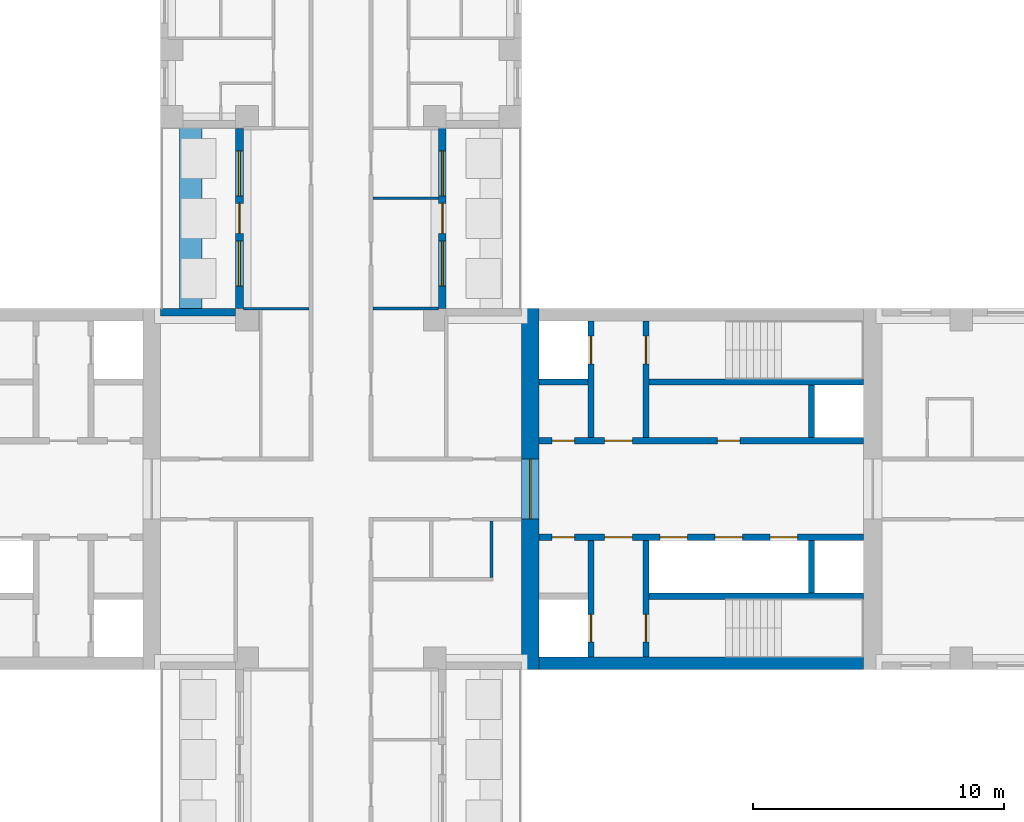
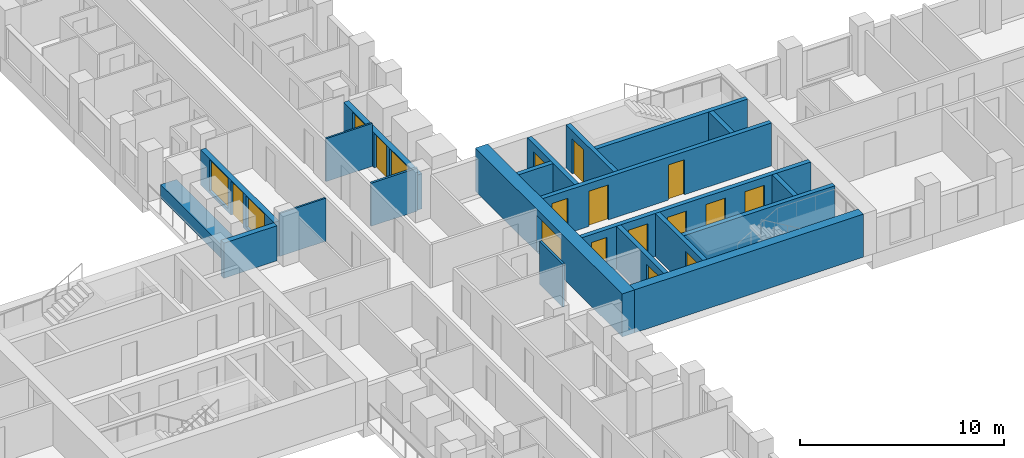
# One storey, part 8 of 15: 21 walls, 15 doors, 4 windows, 19 openings.
"""IFC4 building model written with IfcOpenShell, lengths in metres."""

from ifc_helpers import new_model, si_unit, direction, frame, frame_2d, origin, place, context, subcontext, project, spatial, rectangle, extrude, material, layer, layer_set, type_object, element, fill, save


model = new_model("IFC4")

# Units and contexts
model_context = context("Model", 3, precision=1e-05, world=origin(), true_north=direction((0.0, 1.0)))
body_context = subcontext(model_context, "Body", "Model", "MODEL_VIEW")
ifc_project = project(units=[si_unit("LENGTHUNIT", "METRE"), si_unit("AREAUNIT", "SQUARE_METRE"), si_unit("VOLUMEUNIT", "CUBIC_METRE"), si_unit("PLANEANGLEUNIT", "RADIAN"), si_unit("MASSUNIT", "GRAM", prefix="KILO")], contexts=[model_context])

# Site, building, storey
site_placement = place(None, origin())
site = spatial("IfcSite", under=ifc_project, at=site_placement, CompositionType="ELEMENT")
building_placement = place(site_placement, origin())
building = spatial("IfcBuilding", under=site, at=building_placement, Name="Fustian Cross Tower", CompositionType="ELEMENT")
storey_placement = place(building_placement, frame((0.0, 0.0, 14.699951171875)))
storey = spatial("IfcBuildingStorey", under=building, at=storey_placement, Name="L03", CompositionType="ELEMENT", Elevation=14.699951171875)

# Wall, opening, door
ifc_material_1 = material(Name="Concrete C80/95", Category="concrete")
ifc_layer_1 = layer(ifc_material_1, 0.699951171875)
ifc_layer_set_1 = layer_set([ifc_layer_1], Name="Concrete C80/95")
wall_type_1 = type_object("IfcWallType", Name="CORE END WALL 700 C80/95", PredefinedType="SHEAR", material=ifc_layer_set_1)
wall_1_placement = place(storey_placement, frame((7.550048828125, -7.199951171875, 0.0), z_axis=(0.0, 0.0, 1.0), x_axis=(0.0, 1.0, 0.0)))
wall_1 = element("IfcWall", 1, at=wall_1_placement, inside=storey, type_object=wall_type_1, Name="Core end wall", PredefinedType="SHEAR", context=body_context, shape_type="SweptSolid", body=[
    extrude(rectangle(XDim=14.39990234375, YDim=0.699951171875, at=frame_2d((7.199951171875, 0.0))), origin(), (0.0, 0.0, 1.0), 2.574951171875),
])
opening_1_placement = place(wall_1_placement, frame((6.0, 0.0, 0.0)))
opening_1 = element("IfcOpeningElement", 2, at=opening_1_placement, cuts=wall_1, Name="Opening CD-04-12", PredefinedType="OPENING", context=body_context, shape_type="SweptSolid", body=[
    extrude(rectangle(XDim=2.39990234375, YDim=2.199951171875, at=frame_2d((1.199951171875, 1.10009765625))), frame((0.0, 0.35986328125, 0.0), z_axis=(0.0, -1.0, 0.0), x_axis=(1.0, 0.0, 0.0)), (0.0, 0.0, 1.0), 0.719970703125),
])
ifc_material_2 = material(Name="Steel", Category="steel")
door_type_1 = type_object("IfcDoorType", Name="FIRE DOOR FD30S DOUBLE 2400X2200", OperationType="DOUBLE_DOOR_DOUBLE_SWING", PredefinedType="DOOR", material=ifc_material_2)
door_1_placement = place(opening_1_placement, frame((2.39990234375, 0.0, 0.0), z_axis=(0.0, 0.0, 1.0), x_axis=(-1.0, 0.0, 0.0)))
door_1 = element("IfcDoor", 3, at=door_1_placement, inside=storey, type_object=door_type_1, Name="Core door CD-04-12", OperationType="DOUBLE_DOOR_DOUBLE_SWING", OverallHeight=2.199951171875, OverallWidth=2.39990234375, PredefinedType="DOOR", context=body_context, shape_type="SweptSolid", body=[
    extrude(rectangle(XDim=2.39990234375, YDim=2.199951171875, at=frame_2d((1.199951171875, 1.10009765625))), frame((0.0, 0.02490234375, 0.0), z_axis=(0.0, -1.0, 0.0), x_axis=(1.0, 0.0, 0.0)), (0.0, 0.0, 1.0), 0.050048828125),
])
fill(opening_1, door_1)

# Wall
ifc_material_3 = material(Name="Concrete C80/95", Category="concrete")
ifc_layer_2 = layer(ifc_material_3, 0.5)
ifc_layer_set_2 = layer_set([ifc_layer_2], Name="Concrete C80/95")
wall_type_2 = type_object("IfcWallType", Name="CORE FACADE WALL 500 C80/95", PredefinedType="SHEAR", material=ifc_layer_set_2)
wall_2_placement = place(storey_placement, frame((7.89990234375, -6.949951171875, 0.0), z_axis=(0.0, 0.0, 1.0), x_axis=(1.0, 0.0, 0.0)))
element("IfcWall", 4, at=wall_2_placement, inside=storey, type_object=wall_type_2, Name="Core facade wall", PredefinedType="SHEAR", context=body_context, shape_type="SweptSolid", body=[
    extrude(rectangle(XDim=12.9501953125, YDim=0.5, at=frame_2d((6.47509765625, 0.0))), origin(), (0.0, 0.0, 1.0), 2.574951171875),
])

# Wall, openings, doors
ifc_material_4 = material(Name="Concrete C50/60", Category="concrete")
ifc_layer_3 = layer(ifc_material_4, 0.25)
ifc_layer_set_3 = layer_set([ifc_layer_3], Name="Concrete C50/60")
wall_type_3 = type_object("IfcWallType", Name="CORE LOBBY WALL 250 C50/60", PredefinedType="SHEAR", material=ifc_layer_set_3)
wall_3_placement = place(storey_placement, frame((7.89990234375, 1.925048828125, 0.0), z_axis=(0.0, 0.0, 1.0), x_axis=(1.0, 0.0, 0.0)))
wall_3 = element("IfcWall", 5, at=wall_3_placement, inside=storey, type_object=wall_type_3, Name="Core lobby wall", PredefinedType="SHEAR", context=body_context, shape_type="SweptSolid", body=[
    extrude(rectangle(XDim=12.9501953125, YDim=0.25, at=frame_2d((6.47509765625, 0.0))), origin(), (0.0, 0.0, 1.0), 2.574951171875),
])
opening_2_placement = place(wall_3_placement, frame((0.52490234375, 0.0, 0.0)))
opening_2 = element("IfcOpeningElement", 6, at=opening_2_placement, cuts=wall_3, Name="Opening CD-04-08", PredefinedType="OPENING", context=body_context, shape_type="SweptSolid", body=[
    extrude(rectangle(XDim=0.89990234375, YDim=2.10009765625, at=frame_2d((0.449951171875, 1.050048828125))), frame((0.0, 0.135009765625, 0.0), z_axis=(0.0, -1.0, 0.0), x_axis=(1.0, 0.0, 0.0)), (0.0, 0.0, 1.0), 0.27001953125),
])
opening_3_placement = place(wall_3_placement, frame((2.625, 0.0, 0.0)))
opening_3 = element("IfcOpeningElement", 7, at=opening_3_placement, cuts=wall_3, Name="Opening CD-04-10", PredefinedType="OPENING", context=body_context, shape_type="SweptSolid", body=[
    extrude(rectangle(XDim=1.10009765625, YDim=2.10009765625, at=frame_2d((0.550048828125, 1.050048828125))), frame((0.0, 0.135009765625, 0.0), z_axis=(0.0, -1.0, 0.0), x_axis=(1.0, 0.0, 0.0)), (0.0, 0.0, 1.0), 0.27001953125),
])
opening_4_placement = place(wall_3_placement, frame((7.125, 0.0, 0.0)))
opening_4 = element("IfcOpeningElement", 8, at=opening_4_placement, cuts=wall_3, Name="Opening CD-04-14", PredefinedType="OPENING", context=body_context, shape_type="SweptSolid", body=[
    extrude(rectangle(XDim=0.89990234375, YDim=2.10009765625, at=frame_2d((0.449951171875, 1.050048828125))), frame((0.0, 0.135009765625, 0.0), z_axis=(0.0, -1.0, 0.0), x_axis=(1.0, 0.0, 0.0)), (0.0, 0.0, 1.0), 0.27001953125),
])
ifc_material_5 = material(Name="Steel", Category="steel")
door_type_2 = type_object("IfcDoorType", Name="FIRE DOOR FD30S 900X2100", OperationType="SINGLE_SWING_LEFT", PredefinedType="DOOR", material=ifc_material_5)
door_2_placement = place(opening_4_placement, origin())
door_2 = element("IfcDoor", 9, at=door_2_placement, inside=storey, type_object=door_type_2, Name="Core door CD-04-14", OperationType="SINGLE_SWING_LEFT", OverallHeight=2.10009765625, OverallWidth=0.89990234375, PredefinedType="DOOR", context=body_context, shape_type="SweptSolid", body=[
    extrude(rectangle(XDim=0.89990234375, YDim=2.10009765625, at=frame_2d((0.449951171875, 1.050048828125))), frame((0.0, 0.02490234375, 0.0), z_axis=(0.0, -1.0, 0.0), x_axis=(1.0, 0.0, 0.0)), (0.0, 0.0, 1.0), 0.050048828125),
])
fill(opening_4, door_2)
ifc_material_6 = material(Name="Steel", Category="steel")
door_type_3 = type_object("IfcDoorType", Name="FIRE DOOR FD60S 1100X2100", OperationType="SINGLE_SWING_LEFT", PredefinedType="DOOR", material=ifc_material_6)
door_3_placement = place(opening_3_placement, frame((1.10009765625, 0.0, 0.0), z_axis=(0.0, 0.0, 1.0), x_axis=(-1.0, 0.0, 0.0)))
door_3 = element("IfcDoor", 10, at=door_3_placement, inside=storey, type_object=door_type_3, Name="Core door CD-04-10", OperationType="SINGLE_SWING_RIGHT", OverallHeight=2.10009765625, OverallWidth=1.10009765625, PredefinedType="DOOR", context=body_context, shape_type="SweptSolid", body=[
    extrude(rectangle(XDim=1.10009765625, YDim=2.10009765625, at=frame_2d((0.550048828125, 1.050048828125))), frame((0.0, 0.02490234375, 0.0), z_axis=(0.0, -1.0, 0.0), x_axis=(1.0, 0.0, 0.0)), (0.0, 0.0, 1.0), 0.050048828125),
])
fill(opening_3, door_3)
ifc_material_7 = material(Name="Steel", Category="steel")
door_type_4 = type_object("IfcDoorType", Name="FIRE DOOR FD60S 900X2100", OperationType="SINGLE_SWING_LEFT", PredefinedType="DOOR", material=ifc_material_7)
door_4_placement = place(opening_2_placement, origin())
door_4 = element("IfcDoor", 11, at=door_4_placement, inside=storey, type_object=door_type_4, Name="Core door CD-04-08", OperationType="SINGLE_SWING_LEFT", OverallHeight=2.10009765625, OverallWidth=0.89990234375, PredefinedType="DOOR", context=body_context, shape_type="SweptSolid", body=[
    extrude(rectangle(XDim=0.89990234375, YDim=2.10009765625, at=frame_2d((0.449951171875, 1.050048828125))), frame((0.0, 0.02490234375, 0.0), z_axis=(0.0, -1.0, 0.0), x_axis=(1.0, 0.0, 0.0)), (0.0, 0.0, 1.0), 0.050048828125),
])
fill(opening_2, door_4)

wall_4_placement = place(storey_placement, frame((7.89990234375, -1.925048828125, 0.0), z_axis=(0.0, 0.0, 1.0), x_axis=(1.0, 0.0, 0.0)))
wall_4 = element("IfcWall", 12, at=wall_4_placement, inside=storey, type_object=wall_type_3, Name="Core lobby wall", PredefinedType="SHEAR", context=body_context, shape_type="SweptSolid", body=[
    extrude(rectangle(XDim=12.9501953125, YDim=0.25, at=frame_2d((6.47509765625, 0.0))), origin(), (0.0, 0.0, 1.0), 2.574951171875),
])
opening_5_placement = place(wall_4_placement, frame((4.824951171875, 0.0, 0.0)))
opening_5 = element("IfcOpeningElement", 13, at=opening_5_placement, cuts=wall_4, Name="Opening LD", PredefinedType="OPENING", context=body_context, shape_type="SweptSolid", body=[
    extrude(rectangle(XDim=1.10009765625, YDim=2.10009765625, at=frame_2d((0.550048828125, 1.050048828125))), frame((0.0, 0.135009765625, 0.0), z_axis=(0.0, -1.0, 0.0), x_axis=(1.0, 0.0, 0.0)), (0.0, 0.0, 1.0), 0.27001953125),
])
opening_6_placement = place(wall_4_placement, frame((7.02490234375, 0.0, 0.0)))
opening_6 = element("IfcOpeningElement", 14, at=opening_6_placement, cuts=wall_4, Name="Opening LD", PredefinedType="OPENING", context=body_context, shape_type="SweptSolid", body=[
    extrude(rectangle(XDim=1.10009765625, YDim=2.10009765625, at=frame_2d((0.550048828125, 1.050048828125))), frame((0.0, 0.135009765625, 0.0), z_axis=(0.0, -1.0, 0.0), x_axis=(1.0, 0.0, 0.0)), (0.0, 0.0, 1.0), 0.27001953125),
])
opening_7_placement = place(wall_4_placement, frame((9.22509765625, 0.0, 0.0)))
opening_7 = element("IfcOpeningElement", 15, at=opening_7_placement, cuts=wall_4, Name="Opening LD", PredefinedType="OPENING", context=body_context, shape_type="SweptSolid", body=[
    extrude(rectangle(XDim=1.10009765625, YDim=2.10009765625, at=frame_2d((0.550048828125, 1.050048828125))), frame((0.0, 0.135009765625, 0.0), z_axis=(0.0, -1.0, 0.0), x_axis=(1.0, 0.0, 0.0)), (0.0, 0.0, 1.0), 0.27001953125),
])
opening_8_placement = place(wall_4_placement, frame((0.52490234375, 0.0, 0.0)))
opening_8 = element("IfcOpeningElement", 16, at=opening_8_placement, cuts=wall_4, Name="Opening CD-04-09", PredefinedType="OPENING", context=body_context, shape_type="SweptSolid", body=[
    extrude(rectangle(XDim=0.89990234375, YDim=2.10009765625, at=frame_2d((0.449951171875, 1.050048828125))), frame((0.0, 0.135009765625, 0.0), z_axis=(0.0, -1.0, 0.0), x_axis=(1.0, 0.0, 0.0)), (0.0, 0.0, 1.0), 0.27001953125),
])
opening_9_placement = place(wall_4_placement, frame((2.625, 0.0, 0.0)))
opening_9 = element("IfcOpeningElement", 17, at=opening_9_placement, cuts=wall_4, Name="Opening CD-04-11", PredefinedType="OPENING", context=body_context, shape_type="SweptSolid", body=[
    extrude(rectangle(XDim=1.10009765625, YDim=2.10009765625, at=frame_2d((0.550048828125, 1.050048828125))), frame((0.0, 0.135009765625, 0.0), z_axis=(0.0, -1.0, 0.0), x_axis=(1.0, 0.0, 0.0)), (0.0, 0.0, 1.0), 0.27001953125),
])
ifc_material_8 = material(Name="Steel", Category="steel")
door_type_5 = type_object("IfcDoorType", Name="FIRE DOOR FD30S 1100X2100", OperationType="SINGLE_SWING_LEFT", PredefinedType="DOOR", material=ifc_material_8)
door_5_placement = place(opening_9_placement, frame((1.10009765625, 0.0, 0.0), z_axis=(0.0, 0.0, 1.0), x_axis=(-1.0, 0.0, 0.0)))
door_5 = element("IfcDoor", 18, at=door_5_placement, inside=storey, type_object=door_type_5, Name="Core door CD-04-11", OperationType="SINGLE_SWING_RIGHT", OverallHeight=2.10009765625, OverallWidth=1.10009765625, PredefinedType="DOOR", context=body_context, shape_type="SweptSolid", body=[
    extrude(rectangle(XDim=1.10009765625, YDim=2.10009765625, at=frame_2d((0.550048828125, 1.050048828125))), frame((0.0, 0.02490234375, 0.0), z_axis=(0.0, -1.0, 0.0), x_axis=(1.0, 0.0, 0.0)), (0.0, 0.0, 1.0), 0.050048828125),
])
fill(opening_9, door_5)
door_6_placement = place(opening_8_placement, frame((0.89990234375, 0.0, 0.0), z_axis=(0.0, 0.0, 1.0), x_axis=(-1.0, 0.0, 0.0)))
door_6 = element("IfcDoor", 19, at=door_6_placement, inside=storey, type_object=door_type_2, Name="Core door CD-04-09", OperationType="SINGLE_SWING_RIGHT", OverallHeight=2.10009765625, OverallWidth=0.89990234375, PredefinedType="DOOR", context=body_context, shape_type="SweptSolid", body=[
    extrude(rectangle(XDim=0.89990234375, YDim=2.10009765625, at=frame_2d((0.449951171875, 1.050048828125))), frame((0.0, 0.02490234375, 0.0), z_axis=(0.0, -1.0, 0.0), x_axis=(1.0, 0.0, 0.0)), (0.0, 0.0, 1.0), 0.050048828125),
])
fill(opening_8, door_6)
ifc_material_9 = material(Name="Stainless steel", Category="steel")
door_type_6 = type_object("IfcDoorType", Name="LIFT LANDING DOOR 1100X2100", OperationType="SLIDING_TO_LEFT", PredefinedType="DOOR", material=ifc_material_9)
door_7_placement = place(opening_5_placement, origin())
door_7 = element("IfcDoor", 20, at=door_7_placement, inside=storey, type_object=door_type_6, Name="Landing door LR1", OperationType="SLIDING_TO_LEFT", OverallHeight=2.10009765625, OverallWidth=1.10009765625, PredefinedType="DOOR", context=body_context, shape_type="SweptSolid", body=[
    extrude(rectangle(XDim=1.10009765625, YDim=2.10009765625, at=frame_2d((0.550048828125, 1.050048828125))), frame((0.0, 0.02490234375, 0.0), z_axis=(0.0, -1.0, 0.0), x_axis=(1.0, 0.0, 0.0)), (0.0, 0.0, 1.0), 0.050048828125),
])
fill(opening_5, door_7)
door_8_placement = place(opening_6_placement, origin())
door_8 = element("IfcDoor", 21, at=door_8_placement, inside=storey, type_object=door_type_6, Name="Landing door LR2", OperationType="SLIDING_TO_LEFT", OverallHeight=2.10009765625, OverallWidth=1.10009765625, PredefinedType="DOOR", context=body_context, shape_type="SweptSolid", body=[
    extrude(rectangle(XDim=1.10009765625, YDim=2.10009765625, at=frame_2d((0.550048828125, 1.050048828125))), frame((0.0, 0.02490234375, 0.0), z_axis=(0.0, -1.0, 0.0), x_axis=(1.0, 0.0, 0.0)), (0.0, 0.0, 1.0), 0.050048828125),
])
fill(opening_6, door_8)
door_9_placement = place(opening_7_placement, origin())
door_9 = element("IfcDoor", 22, at=door_9_placement, inside=storey, type_object=door_type_6, Name="Landing door LR3", OperationType="SLIDING_TO_LEFT", OverallHeight=2.10009765625, OverallWidth=1.10009765625, PredefinedType="DOOR", context=body_context, shape_type="SweptSolid", body=[
    extrude(rectangle(XDim=1.10009765625, YDim=2.10009765625, at=frame_2d((0.550048828125, 1.050048828125))), frame((0.0, 0.02490234375, 0.0), z_axis=(0.0, -1.0, 0.0), x_axis=(1.0, 0.0, 0.0)), (0.0, 0.0, 1.0), 0.050048828125),
])
fill(opening_7, door_9)

# Walls
ifc_material_10 = material(Name="Concrete C50/60", Category="concrete")
ifc_layer_4 = layer(ifc_material_10, 0.25)
ifc_layer_set_4 = layer_set([ifc_layer_4], Name="Concrete C50/60")
wall_type_4 = type_object("IfcWallType", Name="CORE SHAFT WALL 250 C50/60", PredefinedType="SHEAR", material=ifc_layer_set_4)
wall_5_placement = place(storey_placement, frame((7.89990234375, 4.27490234375, 0.0), z_axis=(0.0, 0.0, 1.0), x_axis=(1.0, 0.0, 0.0)))
element("IfcWall", 23, at=wall_5_placement, inside=storey, type_object=wall_type_4, Name="Core shaft wall", PredefinedType="SHEAR", context=body_context, shape_type="SweptSolid", body=[
    extrude(rectangle(XDim=1.9501953125, YDim=0.25, at=frame_2d((0.97509765625, 0.0))), origin(), (0.0, 0.0, 1.0), 2.574951171875),
])
wall_6_placement = place(storey_placement, frame((12.300048828125, 4.27490234375, 0.0), z_axis=(0.0, 0.0, 1.0), x_axis=(1.0, 0.0, 0.0)))
element("IfcWall", 24, at=wall_6_placement, inside=storey, type_object=wall_type_4, Name="Core shaft wall", PredefinedType="SHEAR", context=body_context, shape_type="SweptSolid", body=[
    extrude(rectangle(XDim=8.550048828125, YDim=0.25, at=frame_2d((4.27490234375, 0.0))), origin(), (0.0, 0.0, 1.0), 2.574951171875),
])

# Wall, opening, door
wall_7_placement = place(storey_placement, frame((9.97509765625, 2.050048828125, 0.0), z_axis=(0.0, 0.0, 1.0), x_axis=(0.0, 1.0, 0.0)))
wall_7 = element("IfcWall", 25, at=wall_7_placement, inside=storey, type_object=wall_type_4, Name="Core shaft wall", PredefinedType="SHEAR", context=body_context, shape_type="SweptSolid", body=[
    extrude(rectangle(XDim=4.64990234375, YDim=0.25, at=frame_2d((2.324951171875, 0.0))), origin(), (0.0, 0.0, 1.0), 2.574951171875),
])
opening_10_placement = place(wall_7_placement, frame((2.949951171875, 0.0, 0.0)))
opening_10 = element("IfcOpeningElement", 26, at=opening_10_placement, cuts=wall_7, Name="Opening LD", PredefinedType="OPENING", context=body_context, shape_type="SweptSolid", body=[
    extrude(rectangle(XDim=1.10009765625, YDim=2.10009765625, at=frame_2d((0.550048828125, 1.050048828125))), frame((0.0, 0.135009765625, 0.0), z_axis=(0.0, -1.0, 0.0), x_axis=(1.0, 0.0, 0.0)), (0.0, 0.0, 1.0), 0.27001953125),
])
door_10_placement = place(opening_10_placement, origin())
door_10 = element("IfcDoor", 27, at=door_10_placement, inside=storey, type_object=door_type_6, Name="Landing door FL1", OperationType="SLIDING_TO_LEFT", OverallHeight=2.10009765625, OverallWidth=1.10009765625, PredefinedType="DOOR", context=body_context, shape_type="SweptSolid", body=[
    extrude(rectangle(XDim=1.10009765625, YDim=2.10009765625, at=frame_2d((0.550048828125, 1.050048828125))), frame((0.0, 0.02490234375, 0.0), z_axis=(0.0, -1.0, 0.0), x_axis=(1.0, 0.0, 0.0)), (0.0, 0.0, 1.0), 0.050048828125),
])
fill(opening_10, door_10)

wall_8_placement = place(storey_placement, frame((12.175048828125, 2.050048828125, 0.0), z_axis=(0.0, 0.0, 1.0), x_axis=(0.0, 1.0, 0.0)))
wall_8 = element("IfcWall", 28, at=wall_8_placement, inside=storey, type_object=wall_type_4, Name="Core shaft wall", PredefinedType="SHEAR", context=body_context, shape_type="SweptSolid", body=[
    extrude(rectangle(XDim=4.64990234375, YDim=0.25, at=frame_2d((2.324951171875, 0.0))), origin(), (0.0, 0.0, 1.0), 2.574951171875),
])
opening_11_placement = place(wall_8_placement, frame((2.949951171875, 0.0, 0.0)))
opening_11 = element("IfcOpeningElement", 29, at=opening_11_placement, cuts=wall_8, Name="Opening CD-04-06", PredefinedType="OPENING", context=body_context, shape_type="SweptSolid", body=[
    extrude(rectangle(XDim=1.10009765625, YDim=2.10009765625, at=frame_2d((0.550048828125, 1.050048828125))), frame((0.0, 0.135009765625, 0.0), z_axis=(0.0, -1.0, 0.0), x_axis=(1.0, 0.0, 0.0)), (0.0, 0.0, 1.0), 0.27001953125),
])
door_11_placement = place(opening_11_placement, frame((1.10009765625, 0.0, 0.0), z_axis=(0.0, 0.0, 1.0), x_axis=(-1.0, 0.0, 0.0)))
door_11 = element("IfcDoor", 30, at=door_11_placement, inside=storey, type_object=door_type_3, Name="Core door CD-04-06", OperationType="SINGLE_SWING_RIGHT", OverallHeight=2.10009765625, OverallWidth=1.10009765625, PredefinedType="DOOR", context=body_context, shape_type="SweptSolid", body=[
    extrude(rectangle(XDim=1.10009765625, YDim=2.10009765625, at=frame_2d((0.550048828125, 1.050048828125))), frame((0.0, 0.02490234375, 0.0), z_axis=(0.0, -1.0, 0.0), x_axis=(1.0, 0.0, 0.0)), (0.0, 0.0, 1.0), 0.050048828125),
])
fill(opening_11, door_11)

# Wall
wall_9_placement = place(storey_placement, frame((12.300048828125, -4.27490234375, 0.0), z_axis=(0.0, 0.0, 1.0), x_axis=(1.0, 0.0, 0.0)))
element("IfcWall", 31, at=wall_9_placement, inside=storey, type_object=wall_type_4, Name="Core shaft wall", PredefinedType="SHEAR", context=body_context, shape_type="SweptSolid", body=[
    extrude(rectangle(XDim=8.550048828125, YDim=0.25, at=frame_2d((4.27490234375, 0.0))), origin(), (0.0, 0.0, 1.0), 2.574951171875),
])

# Wall, opening, door
wall_10_placement = place(storey_placement, frame((9.97509765625, -2.050048828125, 0.0), z_axis=(0.0, 0.0, 1.0), x_axis=(0.0, -1.0, 0.0)))
wall_10 = element("IfcWall", 32, at=wall_10_placement, inside=storey, type_object=wall_type_4, Name="Core shaft wall", PredefinedType="SHEAR", context=body_context, shape_type="SweptSolid", body=[
    extrude(rectangle(XDim=4.64990234375, YDim=0.25, at=frame_2d((2.324951171875, 0.0))), origin(), (0.0, 0.0, 1.0), 2.574951171875),
])
opening_12_placement = place(wall_10_placement, frame((2.949951171875, 0.0, 0.0)))
opening_12 = element("IfcOpeningElement", 33, at=opening_12_placement, cuts=wall_10, Name="Opening LD", PredefinedType="OPENING", context=body_context, shape_type="SweptSolid", body=[
    extrude(rectangle(XDim=1.10009765625, YDim=2.10009765625, at=frame_2d((0.550048828125, 1.050048828125))), frame((0.0, 0.135009765625, 0.0), z_axis=(0.0, -1.0, 0.0), x_axis=(1.0, 0.0, 0.0)), (0.0, 0.0, 1.0), 0.27001953125),
])
door_12_placement = place(opening_12_placement, origin())
door_12 = element("IfcDoor", 34, at=door_12_placement, inside=storey, type_object=door_type_6, Name="Landing door SV1", OperationType="SLIDING_TO_LEFT", OverallHeight=2.10009765625, OverallWidth=1.10009765625, PredefinedType="DOOR", context=body_context, shape_type="SweptSolid", body=[
    extrude(rectangle(XDim=1.10009765625, YDim=2.10009765625, at=frame_2d((0.550048828125, 1.050048828125))), frame((0.0, 0.02490234375, 0.0), z_axis=(0.0, -1.0, 0.0), x_axis=(1.0, 0.0, 0.0)), (0.0, 0.0, 1.0), 0.050048828125),
])
fill(opening_12, door_12)

wall_11_placement = place(storey_placement, frame((12.175048828125, -2.050048828125, 0.0), z_axis=(0.0, 0.0, 1.0), x_axis=(0.0, -1.0, 0.0)))
wall_11 = element("IfcWall", 35, at=wall_11_placement, inside=storey, type_object=wall_type_4, Name="Core shaft wall", PredefinedType="SHEAR", context=body_context, shape_type="SweptSolid", body=[
    extrude(rectangle(XDim=4.64990234375, YDim=0.25, at=frame_2d((2.324951171875, 0.0))), origin(), (0.0, 0.0, 1.0), 2.574951171875),
])
opening_13_placement = place(wall_11_placement, frame((2.949951171875, 0.0, 0.0)))
opening_13 = element("IfcOpeningElement", 36, at=opening_13_placement, cuts=wall_11, Name="Opening CD-04-07", PredefinedType="OPENING", context=body_context, shape_type="SweptSolid", body=[
    extrude(rectangle(XDim=1.10009765625, YDim=2.10009765625, at=frame_2d((0.550048828125, 1.050048828125))), frame((0.0, 0.135009765625, 0.0), z_axis=(0.0, -1.0, 0.0), x_axis=(1.0, 0.0, 0.0)), (0.0, 0.0, 1.0), 0.27001953125),
])
door_13_placement = place(opening_13_placement, origin())
door_13 = element("IfcDoor", 37, at=door_13_placement, inside=storey, type_object=door_type_3, Name="Core door CD-04-07", OperationType="SINGLE_SWING_LEFT", OverallHeight=2.10009765625, OverallWidth=1.10009765625, PredefinedType="DOOR", context=body_context, shape_type="SweptSolid", body=[
    extrude(rectangle(XDim=1.10009765625, YDim=2.10009765625, at=frame_2d((0.550048828125, 1.050048828125))), frame((0.0, 0.02490234375, 0.0), z_axis=(0.0, -1.0, 0.0), x_axis=(1.0, 0.0, 0.0)), (0.0, 0.0, 1.0), 0.050048828125),
])
fill(opening_13, door_13)

# Walls
ifc_material_11 = material(Name="Plasterboard on steel stud", Category="steel")
ifc_layer_5 = layer(ifc_material_11, 0.10009765625)
ifc_layer_set_5 = layer_set([ifc_layer_5], Name="Plasterboard on steel stud")
wall_type_5 = type_object("IfcWallType", Name="PARTITION 100 STUD", PredefinedType="PARTITIONING", material=ifc_layer_set_5)
for number, where, z_axis, x_axis, name in (
    (38, (-3.89990234375, 7.199951171875, 0.0), (0.0, 0.0, 1.0), (1.0, 0.0, 0.0), "Partition 47"),
    (39, (1.27490234375, 11.60009765625, 0.0), (0.0, 0.0, 1.0), (1.0, 0.0, 0.0), "Partition 67"),
):
    element("IfcWall", number, at=place(storey_placement, frame(where, z_axis=z_axis, x_axis=x_axis)), inside=storey, type_object=wall_type_5, Name=name, PredefinedType="PARTITIONING", context=body_context, shape_type="SweptSolid", body=[
        extrude(rectangle(XDim=2.625, YDim=0.10009765625, at=frame_2d((1.3125, 0.0))), origin(), (0.0, 0.0, 1.0), 2.574951171875),
    ])
ifc_material_12 = material(Name="Concrete C40/50", Category="concrete")
ifc_layer_6 = layer(ifc_material_12, 0.89990234375)
ifc_layer_set_6 = layer_set([ifc_layer_6], Name="Concrete C40/50")
wall_type_6 = type_object("IfcWallType", Name="PK1 PLANTER 900", PredefinedType="PARAPET", material=ifc_layer_set_6)
wall_12_placement = place(storey_placement, frame((-6.0, 7.199951171875, 0.0), z_axis=(0.0, 0.0, 1.0), x_axis=(0.0, 1.0, 0.0)))
element("IfcWall", 40, at=wall_12_placement, inside=storey, type_object=wall_type_6, Name="PLANTER", PredefinedType="PARAPET", context=body_context, shape_type="SweptSolid", body=[
    extrude(rectangle(XDim=7.199951171875, YDim=0.89990234375, at=frame_2d((3.60009765625, 0.0))), origin(), (0.0, 0.0, 1.0), 0.800048828125),
])
ifc_material_13 = material(Name="Concrete C40/50", Category="concrete")
ifc_layer_7 = layer(ifc_material_13, 0.25)
ifc_layer_set_7 = layer_set([ifc_layer_7], Name="Concrete C40/50")
wall_type_7 = type_object("IfcWallType", Name="SHAFT PARTITION WALL 250 C40/50", PredefinedType="PARTITIONING", material=ifc_layer_set_7)
for number, where, z_axis, x_axis, name in (
    (41, (18.77490234375, 2.050048828125, 0.0), (0.0, 0.0, 1.0), (0.0, 1.0, 0.0), "Core shaft wall"),
    (42, (18.77490234375, -2.050048828125, 0.0), (0.0, 0.0, 1.0), (0.0, -1.0, 0.0), "Core shaft wall"),
):
    element("IfcWall", number, at=place(storey_placement, frame(where, z_axis=z_axis, x_axis=x_axis)), inside=storey, type_object=wall_type_7, Name=name, PredefinedType="PARTITIONING", context=body_context, shape_type="SweptSolid", body=[
        extrude(rectangle(XDim=2.099853515625, YDim=0.25, at=frame_2d((1.0498046875, 0.0))), origin(), (0.0, 0.0, 1.0), 2.574951171875),
    ])
ifc_material_14 = material(Name="Plasterboard on steel stud", Category="steel")
ifc_layer_8 = layer(ifc_material_14, 0.125)
ifc_layer_set_8 = layer_set([ifc_layer_8], Name="Plasterboard on steel stud")
wall_type_8 = type_object("IfcWallType", Name="WET WALL 125 STUD", PredefinedType="PARTITIONING", material=ifc_layer_set_8)
wall_13_placement = place(storey_placement, frame((1.27490234375, 7.199951171875, 0.0), z_axis=(0.0, 0.0, 1.0), x_axis=(1.0, 0.0, 0.0)))
element("IfcWall", 43, at=wall_13_placement, inside=storey, type_object=wall_type_8, Name="Partition 66", PredefinedType="PARTITIONING", context=body_context, shape_type="SweptSolid", body=[
    extrude(rectangle(XDim=2.625, YDim=0.125, at=frame_2d((1.3125, 0.0))), origin(), (0.0, 0.0, 1.0), 2.574951171875),
])
wall_14_placement = place(storey_placement, frame((6.0, -3.53759765625, 0.0), z_axis=(0.0, 0.0, 1.0), x_axis=(0.0, 1.0, 0.0)))
element("IfcWall", 44, at=wall_14_placement, inside=storey, type_object=wall_type_8, Name="Partition 98", PredefinedType="PARTITIONING", context=body_context, shape_type="SweptSolid", body=[
    extrude(rectangle(XDim=2.2626953125, YDim=0.125, at=frame_2d((1.13134765625, 0.0))), origin(), (0.0, 0.0, 1.0), 2.574951171875),
])

# Wall, openings, door, windows
ifc_material_15 = material(Name="Dark aluminium cladding on insulated backing wall", Category="aluminium")
ifc_layer_9 = layer(ifc_material_15, 0.300048828125)
ifc_layer_set_9 = layer_set([ifc_layer_9], Name="Dark aluminium cladding on insulated backing wall")
wall_type_9 = type_object("IfcWallType", Name="XW1 EXTERNAL WALL 300", PredefinedType="SOLIDWALL", material=ifc_layer_set_9)
wall_15_placement = place(storey_placement, frame((4.050048828125, 7.199951171875, 0.0), z_axis=(0.0, 0.0, 1.0), x_axis=(0.0, 1.0, 0.0)))
wall_15 = element("IfcWall", 45, at=wall_15_placement, inside=storey, type_object=wall_type_9, Name="External wall", PredefinedType="SOLIDWALL", context=body_context, shape_type="SweptSolid", body=[
    extrude(rectangle(XDim=7.199951171875, YDim=0.300048828125, at=frame_2d((3.60009765625, 0.0))), origin(), (0.0, 0.0, 1.0), 2.10009765625),
])
opening_14_placement = place(wall_15_placement, frame((3.0, 0.0, 0.0)))
opening_14 = element("IfcOpeningElement", 46, at=opening_14_placement, cuts=wall_15, Name="Opening XD1", PredefinedType="OPENING", context=body_context, shape_type="SweptSolid", body=[
    extrude(rectangle(XDim=1.199951171875, YDim=2.050048828125, at=frame_2d((0.60009765625, 1.02490234375))), frame((0.0, 0.159912109375, 0.0), z_axis=(0.0, -1.0, 0.0), x_axis=(1.0, 0.0, 0.0)), (0.0, 0.0, 1.0), 0.320068359375),
])
opening_15_placement = place(wall_15_placement, frame((0.89990234375, 0.0, 0.199951171875)))
opening_15 = element("IfcOpeningElement", 47, at=opening_15_placement, cuts=wall_15, Name="Opening WN2", PredefinedType="OPENING", context=body_context, shape_type="SweptSolid", body=[
    extrude(rectangle(XDim=1.800048828125, YDim=1.85009765625, at=frame_2d((0.89990234375, 0.925048828125))), frame((0.0, 0.159912109375, 0.0), z_axis=(0.0, -1.0, 0.0), x_axis=(1.0, 0.0, 0.0)), (0.0, 0.0, 1.0), 0.320068359375),
])
opening_16_placement = place(wall_15_placement, frame((4.5, 0.0, 0.199951171875)))
opening_16 = element("IfcOpeningElement", 48, at=opening_16_placement, cuts=wall_15, Name="Opening WN2", PredefinedType="OPENING", context=body_context, shape_type="SweptSolid", body=[
    extrude(rectangle(XDim=1.800048828125, YDim=1.85009765625, at=frame_2d((0.89990234375, 0.925048828125))), frame((0.0, 0.159912109375, 0.0), z_axis=(0.0, -1.0, 0.0), x_axis=(1.0, 0.0, 0.0)), (0.0, 0.0, 1.0), 0.320068359375),
])
ifc_material_16 = material(Name="Dark anodised aluminium and double glazing", Category="aluminium")
door_type_7 = type_object("IfcDoorType", Name="ED1 BALCONY DOOR 1200X2050", OperationType="SINGLE_SWING_LEFT", PredefinedType="DOOR", material=ifc_material_16)
door_14_placement = place(opening_14_placement, origin())
door_14 = element("IfcDoor", 49, at=door_14_placement, inside=storey, type_object=door_type_7, Name="Balcony door", OperationType="SINGLE_SWING_LEFT", OverallHeight=2.050048828125, OverallWidth=1.199951171875, PredefinedType="DOOR", context=body_context, shape_type="SweptSolid", body=[
    extrude(rectangle(XDim=1.199951171875, YDim=2.050048828125, at=frame_2d((0.60009765625, 1.02490234375))), frame((0.0, 0.02490234375, 0.0), z_axis=(0.0, -1.0, 0.0), x_axis=(1.0, 0.0, 0.0)), (0.0, 0.0, 1.0), 0.050048828125),
])
fill(opening_14, door_14)
ifc_material_17 = material(Name="Dark anodised aluminium and double glazing", Category="aluminium")
window_type = type_object("IfcWindowType", Name="WN2 WINDOW 1800X1850", PartitioningType="SINGLE_PANEL", PredefinedType="WINDOW", material=ifc_material_17)
window_1_placement = place(opening_15_placement, origin())
window_1 = element("IfcWindow", 50, at=window_1_placement, inside=storey, type_object=window_type, Name="Window", OverallHeight=1.85009765625, OverallWidth=1.800048828125, PartitioningType="SINGLE_PANEL", PredefinedType="WINDOW", context=body_context, shape_type="SweptSolid", body=[
    extrude(rectangle(XDim=1.800048828125, YDim=1.85009765625, at=frame_2d((0.89990234375, 0.925048828125))), frame((0.0, 0.030029296875, 0.0), z_axis=(0.0, -1.0, 0.0), x_axis=(1.0, 0.0, 0.0)), (0.0, 0.0, 1.0), 0.06005859375),
])
fill(opening_15, window_1)
window_2_placement = place(opening_16_placement, origin())
window_2 = element("IfcWindow", 51, at=window_2_placement, inside=storey, type_object=window_type, Name="Window", OverallHeight=1.85009765625, OverallWidth=1.800048828125, PartitioningType="SINGLE_PANEL", PredefinedType="WINDOW", context=body_context, shape_type="SweptSolid", body=[
    extrude(rectangle(XDim=1.800048828125, YDim=1.85009765625, at=frame_2d((0.89990234375, 0.925048828125))), frame((0.0, 0.030029296875, 0.0), z_axis=(0.0, -1.0, 0.0), x_axis=(1.0, 0.0, 0.0)), (0.0, 0.0, 1.0), 0.06005859375),
])
fill(opening_16, window_2)

wall_16_placement = place(storey_placement, frame((-4.050048828125, 14.39990234375, 0.0), z_axis=(0.0, 0.0, 1.0), x_axis=(0.0, -1.0, 0.0)))
wall_16 = element("IfcWall", 52, at=wall_16_placement, inside=storey, type_object=wall_type_9, Name="External wall", PredefinedType="SOLIDWALL", context=body_context, shape_type="SweptSolid", body=[
    extrude(rectangle(XDim=7.199951171875, YDim=0.300048828125, at=frame_2d((3.60009765625, 0.0))), origin(), (0.0, 0.0, 1.0), 2.10009765625),
])
opening_17_placement = place(wall_16_placement, frame((3.0, 0.0, 0.0)))
opening_17 = element("IfcOpeningElement", 53, at=opening_17_placement, cuts=wall_16, Name="Opening XD2", PredefinedType="OPENING", context=body_context, shape_type="SweptSolid", body=[
    extrude(rectangle(XDim=1.199951171875, YDim=2.050048828125, at=frame_2d((0.60009765625, 1.02490234375))), frame((0.0, 0.159912109375, 0.0), z_axis=(0.0, -1.0, 0.0), x_axis=(1.0, 0.0, 0.0)), (0.0, 0.0, 1.0), 0.320068359375),
])
opening_18_placement = place(wall_16_placement, frame((0.89990234375, 0.0, 0.199951171875)))
opening_18 = element("IfcOpeningElement", 54, at=opening_18_placement, cuts=wall_16, Name="Opening WN2", PredefinedType="OPENING", context=body_context, shape_type="SweptSolid", body=[
    extrude(rectangle(XDim=1.800048828125, YDim=1.85009765625, at=frame_2d((0.89990234375, 0.925048828125))), frame((0.0, 0.159912109375, 0.0), z_axis=(0.0, -1.0, 0.0), x_axis=(1.0, 0.0, 0.0)), (0.0, 0.0, 1.0), 0.320068359375),
])
opening_19_placement = place(wall_16_placement, frame((4.5, 0.0, 0.199951171875)))
opening_19 = element("IfcOpeningElement", 55, at=opening_19_placement, cuts=wall_16, Name="Opening WN2", PredefinedType="OPENING", context=body_context, shape_type="SweptSolid", body=[
    extrude(rectangle(XDim=1.800048828125, YDim=1.85009765625, at=frame_2d((0.89990234375, 0.925048828125))), frame((0.0, 0.159912109375, 0.0), z_axis=(0.0, -1.0, 0.0), x_axis=(1.0, 0.0, 0.0)), (0.0, 0.0, 1.0), 0.320068359375),
])
door_15_placement = place(opening_17_placement, origin())
door_15 = element("IfcDoor", 56, at=door_15_placement, inside=storey, type_object=door_type_7, Name="Balcony door", OperationType="SINGLE_SWING_LEFT", OverallHeight=2.050048828125, OverallWidth=1.199951171875, PredefinedType="DOOR", context=body_context, shape_type="SweptSolid", body=[
    extrude(rectangle(XDim=1.199951171875, YDim=2.050048828125, at=frame_2d((0.60009765625, 1.02490234375))), frame((0.0, 0.02490234375, 0.0), z_axis=(0.0, -1.0, 0.0), x_axis=(1.0, 0.0, 0.0)), (0.0, 0.0, 1.0), 0.050048828125),
])
fill(opening_17, door_15)
window_3_placement = place(opening_18_placement, origin())
window_3 = element("IfcWindow", 57, at=window_3_placement, inside=storey, type_object=window_type, Name="Window", OverallHeight=1.85009765625, OverallWidth=1.800048828125, PartitioningType="SINGLE_PANEL", PredefinedType="WINDOW", context=body_context, shape_type="SweptSolid", body=[
    extrude(rectangle(XDim=1.800048828125, YDim=1.85009765625, at=frame_2d((0.89990234375, 0.925048828125))), frame((0.0, 0.030029296875, 0.0), z_axis=(0.0, -1.0, 0.0), x_axis=(1.0, 0.0, 0.0)), (0.0, 0.0, 1.0), 0.06005859375),
])
fill(opening_18, window_3)
window_4_placement = place(opening_19_placement, origin())
window_4 = element("IfcWindow", 58, at=window_4_placement, inside=storey, type_object=window_type, Name="Window", OverallHeight=1.85009765625, OverallWidth=1.800048828125, PartitioningType="SINGLE_PANEL", PredefinedType="WINDOW", context=body_context, shape_type="SweptSolid", body=[
    extrude(rectangle(XDim=1.800048828125, YDim=1.85009765625, at=frame_2d((0.89990234375, 0.925048828125))), frame((0.0, 0.030029296875, 0.0), z_axis=(0.0, -1.0, 0.0), x_axis=(1.0, 0.0, 0.0)), (0.0, 0.0, 1.0), 0.06005859375),
])
fill(opening_19, window_4)

# Wall
wall_17_placement = place(storey_placement, frame((-4.199951171875, 7.050048828125, 0.0), z_axis=(0.0, 0.0, 1.0), x_axis=(-1.0, 0.0, 0.0)))
element("IfcWall", 59, at=wall_17_placement, inside=storey, type_object=wall_type_9, Name="External wall", PredefinedType="SOLIDWALL", context=body_context, shape_type="SweptSolid", body=[
    extrude(rectangle(XDim=3.0, YDim=0.300048828125, at=frame_2d((1.5, 0.0))), origin(), (0.0, 0.0, 1.0), 2.10009765625),
])

save(model, "model.ifc")
